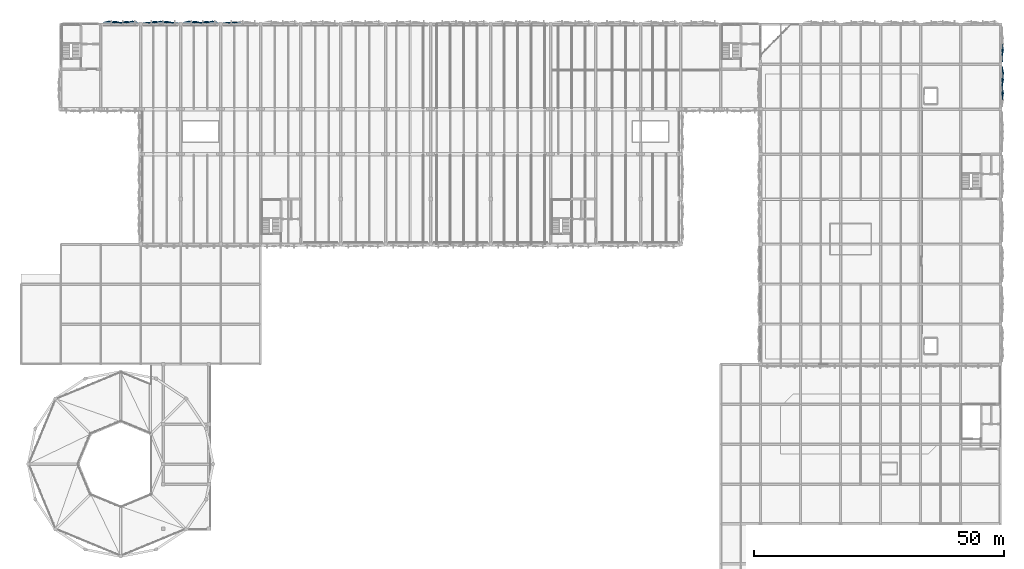
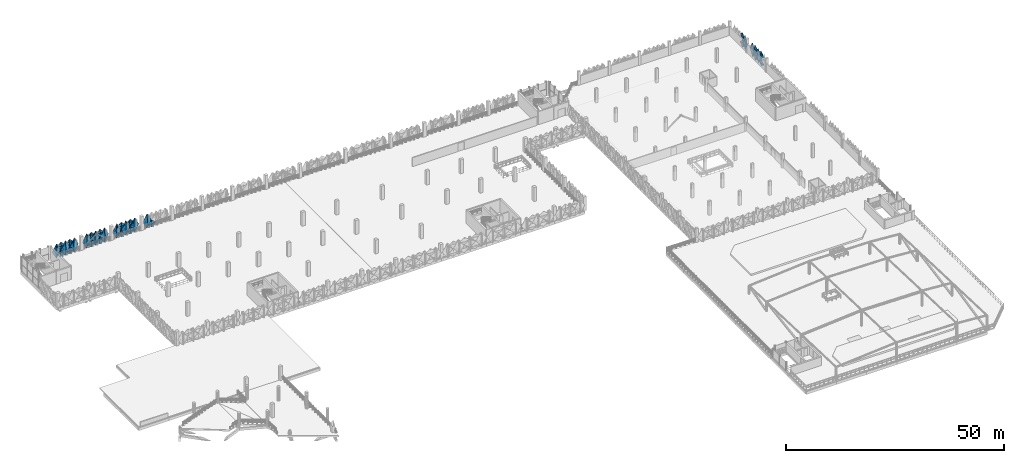
# One storey, part 62 of 76: 32 plates.
"""IFC4 building model written with IfcOpenShell, lengths in metres."""

from ifc_helpers import new_model, si_unit, derived_unit, direction, frame, origin, place, context, subcontext, project, spatial, polygons, material, layer, layer_set, type_object, element, save


model = new_model("IFC4")

# Units and contexts
model_context = context("Model", 3, precision=1e-05, world=origin(), true_north=direction((0.0, 1.0)))
body_context = subcontext(model_context, "Body", "Model", "MODEL_VIEW")
ifc_project = project(units=[si_unit("LENGTHUNIT", "METRE"), si_unit("AREAUNIT", "SQUARE_METRE"), si_unit("VOLUMEUNIT", "CUBIC_METRE"), si_unit("PLANEANGLEUNIT", "RADIAN"), si_unit("MASSUNIT", "GRAM", prefix="KILO"), si_unit("THERMODYNAMICTEMPERATUREUNIT", "KELVIN"), derived_unit("THERMALTRANSMITTANCEUNIT", [(si_unit("POWERUNIT", "WATT"), 1), (si_unit("AREAUNIT", "SQUARE_METRE"), -1), (si_unit("THERMODYNAMICTEMPERATUREUNIT", "KELVIN"), -1)])], contexts=[model_context])

# Site, building, storey
site_placement = place(None, origin())
site = spatial("IfcSite", under=ifc_project, at=site_placement, CompositionType="ELEMENT")
building_placement = place(site_placement, origin())
building = spatial("IfcBuilding", under=site, at=building_placement, Name="Haiyu Intermodal Mobility Hub", CompositionType="ELEMENT")
storey_placement = place(building_placement, frame((0.0, 0.0, 17.300048828125)))
storey = spatial("IfcBuildingStorey", under=building, at=storey_placement, Name="L04", CompositionType="ELEMENT", Elevation=17.300048828125)

# Plates
ifc_material = material(Name="Anodised aluminium 6063-T6", Category="aluminium")
ifc_layer_1 = layer(ifc_material, 0.01806640625)
ifc_layer_set_1 = layer_set([ifc_layer_1], Name="Anodised aluminium 6063-T6")
plate_type_1 = type_object("IfcPlateType", Name="PLT-FC01", PredefinedType="USERDEFINED", material=ifc_layer_set_1)
plate_1_placement = place(storey_placement, origin())
element("IfcPlate", 1, at=plate_1_placement, inside=storey, type_object=plate_type_1, Name="PLT-PYR-0022", ObjectType="FACADE CASSETTE", PredefinedType="USERDEFINED", context=body_context, shape_type="Tessellation", body=[
    polygons([(36.346923828125, 148.39990234375, -0.510009765625), (35.193115234375, 148.39990234375, 1.599853515625), (36.346923828125, 148.39990234375, 3.7099609375), (37.5, 148.39990234375, 1.599853515625), (36.346923828125, 148.679931640625, 1.599853515625), (36.346923828125, 148.3779296875, -0.510009765625), (35.193115234375, 148.3779296875, 1.599853515625), (36.346923828125, 148.3779296875, 3.7099609375), (37.5, 148.3779296875, 1.599853515625), (36.346923828125, 148.657958984375, 1.599853515625)], [[[1, 2, 5]], [[2, 3, 5]], [[3, 4, 5]], [[4, 1, 5]], [[7, 6, 10]], [[8, 7, 10]], [[9, 8, 10]], [[6, 9, 10]], [[1, 6, 7, 2]], [[2, 7, 8, 3]], [[3, 8, 9, 4]], [[4, 9, 6, 1]]], closed=True),
])
plate_2_placement = place(storey_placement, origin())
element("IfcPlate", 2, at=plate_2_placement, inside=storey, type_object=plate_type_1, Name="PLT-PYR-0026", ObjectType="FACADE CASSETTE", PredefinedType="USERDEFINED", context=body_context, shape_type="Tessellation", body=[
    polygons([(32.826904296875, 148.39990234375, -0.52001953125), (31.673095703125, 148.39990234375, 0.530029296875), (32.826904296875, 148.39990234375, 1.579833984375), (33.97998046875, 148.39990234375, 0.530029296875), (32.826904296875, 148.659912109375, 0.530029296875), (32.826904296875, 148.3779296875, -0.52001953125), (31.673095703125, 148.3779296875, 0.530029296875), (32.826904296875, 148.3779296875, 1.579833984375), (33.97998046875, 148.3779296875, 0.530029296875), (32.826904296875, 148.637939453125, 0.530029296875)], [[[1, 2, 5]], [[2, 3, 5]], [[3, 4, 5]], [[4, 1, 5]], [[7, 6, 10]], [[8, 7, 10]], [[9, 8, 10]], [[6, 9, 10]], [[1, 6, 7, 2]], [[2, 7, 8, 3]], [[3, 8, 9, 4]], [[4, 9, 6, 1]]], closed=True),
])
plate_3_placement = place(storey_placement, origin())
element("IfcPlate", 3, at=plate_3_placement, inside=storey, type_object=plate_type_1, Name="PLT-PYR-0058", ObjectType="FACADE CASSETTE", PredefinedType="USERDEFINED", context=body_context, shape_type="Tessellation", body=[
    polygons([(43.173095703125, 148.39990234375, -0.52001953125), (42.02001953125, 148.39990234375, 0.530029296875), (43.173095703125, 148.39990234375, 1.579833984375), (44.326904296875, 148.39990234375, 0.530029296875), (43.173095703125, 148.659912109375, 0.530029296875), (43.173095703125, 148.3779296875, -0.52001953125), (42.02001953125, 148.3779296875, 0.530029296875), (43.173095703125, 148.3779296875, 1.579833984375), (44.326904296875, 148.3779296875, 0.530029296875), (43.173095703125, 148.637939453125, 0.530029296875)], [[[1, 2, 5]], [[2, 3, 5]], [[3, 4, 5]], [[4, 1, 5]], [[7, 6, 10]], [[8, 7, 10]], [[9, 8, 10]], [[6, 9, 10]], [[1, 6, 7, 2]], [[2, 7, 8, 3]], [[3, 8, 9, 4]], [[4, 9, 6, 1]]], closed=True),
])
plate_4_placement = place(storey_placement, origin())
element("IfcPlate", 4, at=plate_4_placement, inside=storey, type_object=plate_type_1, Name="PLT-PYR-0092", ObjectType="FACADE CASSETTE", PredefinedType="USERDEFINED", context=body_context, shape_type="Tessellation", body=[
    polygons([(52.346923828125, 148.39990234375, -0.510009765625), (51.193115234375, 148.39990234375, 1.599853515625), (52.346923828125, 148.39990234375, 3.7099609375), (53.5, 148.39990234375, 1.599853515625), (52.346923828125, 148.679931640625, 1.599853515625), (52.346923828125, 148.3779296875, -0.510009765625), (51.193115234375, 148.3779296875, 1.599853515625), (52.346923828125, 148.3779296875, 3.7099609375), (53.5, 148.3779296875, 1.599853515625), (52.346923828125, 148.657958984375, 1.599853515625)], [[[1, 2, 5]], [[2, 3, 5]], [[3, 4, 5]], [[4, 1, 5]], [[7, 6, 10]], [[8, 7, 10]], [[9, 8, 10]], [[6, 9, 10]], [[1, 6, 7, 2]], [[2, 7, 8, 3]], [[3, 8, 9, 4]], [[4, 9, 6, 1]]], closed=True),
])
plate_5_placement = place(storey_placement, origin())
element("IfcPlate", 5, at=plate_5_placement, inside=storey, type_object=plate_type_1, Name="PLT-PYR-0096", ObjectType="FACADE CASSETTE", PredefinedType="USERDEFINED", context=body_context, shape_type="Tessellation", body=[
    polygons([(48.826904296875, 148.39990234375, -0.52001953125), (47.673095703125, 148.39990234375, 0.530029296875), (48.826904296875, 148.39990234375, 1.579833984375), (49.97998046875, 148.39990234375, 0.530029296875), (48.826904296875, 148.659912109375, 0.530029296875), (48.826904296875, 148.3779296875, -0.52001953125), (47.673095703125, 148.3779296875, 0.530029296875), (48.826904296875, 148.3779296875, 1.579833984375), (49.97998046875, 148.3779296875, 0.530029296875), (48.826904296875, 148.637939453125, 0.530029296875)], [[[1, 2, 5]], [[2, 3, 5]], [[3, 4, 5]], [[4, 1, 5]], [[7, 6, 10]], [[8, 7, 10]], [[9, 8, 10]], [[6, 9, 10]], [[1, 6, 7, 2]], [[2, 7, 8, 3]], [[3, 8, 9, 4]], [[4, 9, 6, 1]]], closed=True),
])
plate_6_placement = place(storey_placement, origin())
element("IfcPlate", 6, at=plate_6_placement, inside=storey, type_object=plate_type_1, Name="PLT-PYR-1313", ObjectType="FACADE CASSETTE", PredefinedType="USERDEFINED", context=body_context, shape_type="Tessellation", body=[
    polygons([(210.39990234375, 136.840087890625, -0.52001953125), (210.39990234375, 138.159912109375, 0.530029296875), (210.39990234375, 136.840087890625, 1.579833984375), (210.39990234375, 135.52001953125, 0.530029296875), (210.659912109375, 136.840087890625, 0.530029296875), (210.3779296875, 136.840087890625, -0.52001953125), (210.3779296875, 138.159912109375, 0.530029296875), (210.3779296875, 136.840087890625, 1.579833984375), (210.3779296875, 135.52001953125, 0.530029296875), (210.637939453125, 136.840087890625, 0.530029296875)], [[[1, 2, 5]], [[2, 3, 5]], [[3, 4, 5]], [[4, 1, 5]], [[7, 6, 10]], [[8, 7, 10]], [[9, 8, 10]], [[6, 9, 10]], [[1, 6, 7, 2]], [[2, 7, 8, 3]], [[3, 8, 9, 4]], [[4, 9, 6, 1]]], closed=True),
])
plate_7_placement = place(storey_placement, origin())
element("IfcPlate", 7, at=plate_7_placement, inside=storey, type_object=plate_type_1, Name="PLT-PYR-1317", ObjectType="FACADE CASSETTE", PredefinedType="USERDEFINED", context=body_context, shape_type="Tessellation", body=[
    polygons([(210.39990234375, 142.826904296875, -0.52001953125), (210.39990234375, 143.97998046875, 0.530029296875), (210.39990234375, 142.826904296875, 1.579833984375), (210.39990234375, 141.673095703125, 0.530029296875), (210.659912109375, 142.826904296875, 0.530029296875), (210.3779296875, 142.826904296875, -0.52001953125), (210.3779296875, 143.97998046875, 0.530029296875), (210.3779296875, 142.826904296875, 1.579833984375), (210.3779296875, 141.673095703125, 0.530029296875), (210.637939453125, 142.826904296875, 0.530029296875)], [[[1, 2, 5]], [[2, 3, 5]], [[3, 4, 5]], [[4, 1, 5]], [[7, 6, 10]], [[8, 7, 10]], [[9, 8, 10]], [[6, 9, 10]], [[1, 6, 7, 2]], [[2, 7, 8, 3]], [[3, 8, 9, 4]], [[4, 9, 6, 1]]], closed=True),
])
ifc_layer_2 = layer(ifc_material, 0.02001953125)
ifc_layer_set_2 = layer_set([ifc_layer_2], Name="Anodised aluminium 6063-T6")
plate_type_2 = type_object("IfcPlateType", Name="PLT-FC02", PredefinedType="USERDEFINED", material=ifc_layer_set_2)
plate_8_placement = place(storey_placement, origin())
element("IfcPlate", 8, at=plate_8_placement, inside=storey, type_object=plate_type_2, Name="PLT-PYR-0023", ObjectType="FACADE CASSETTE", PredefinedType="USERDEFINED", context=body_context, shape_type="Tessellation", body=[
    polygons([(35.173095703125, 148.39990234375, -0.52001953125), (34.02001953125, 148.39990234375, 0.530029296875), (35.173095703125, 148.39990234375, 1.579833984375), (36.326904296875, 148.39990234375, 0.530029296875), (35.173095703125, 148.179931640625, 0.530029296875), (35.173095703125, 148.3779296875, -0.52001953125), (34.02001953125, 148.3779296875, 0.530029296875), (35.173095703125, 148.3779296875, 1.579833984375), (36.326904296875, 148.3779296875, 0.530029296875), (35.173095703125, 148.157958984375, 0.530029296875)], [[[1, 2, 5]], [[2, 3, 5]], [[3, 4, 5]], [[4, 1, 5]], [[7, 6, 10]], [[8, 7, 10]], [[9, 8, 10]], [[6, 9, 10]], [[1, 6, 7, 2]], [[2, 7, 8, 3]], [[3, 8, 9, 4]], [[4, 9, 6, 1]]], closed=True),
])
plate_9_placement = place(storey_placement, origin())
element("IfcPlate", 9, at=plate_9_placement, inside=storey, type_object=plate_type_2, Name="PLT-PYR-0057", ObjectType="FACADE CASSETTE", PredefinedType="USERDEFINED", context=body_context, shape_type="Tessellation", body=[
    polygons([(44.346923828125, 148.39990234375, -0.510009765625), (43.193115234375, 148.39990234375, 1.599853515625), (44.346923828125, 148.39990234375, 3.7099609375), (45.5, 148.39990234375, 1.599853515625), (44.346923828125, 148.139892578125, 1.599853515625), (44.346923828125, 148.3779296875, -0.510009765625), (43.193115234375, 148.3779296875, 1.599853515625), (44.346923828125, 148.3779296875, 3.7099609375), (45.5, 148.3779296875, 1.599853515625), (44.346923828125, 148.117919921875, 1.599853515625)], [[[1, 2, 5]], [[2, 3, 5]], [[3, 4, 5]], [[4, 1, 5]], [[7, 6, 10]], [[8, 7, 10]], [[9, 8, 10]], [[6, 9, 10]], [[1, 6, 7, 2]], [[2, 7, 8, 3]], [[3, 8, 9, 4]], [[4, 9, 6, 1]]], closed=True),
])
plate_10_placement = place(storey_placement, origin())
element("IfcPlate", 10, at=plate_10_placement, inside=storey, type_object=plate_type_2, Name="PLT-PYR-0061", ObjectType="FACADE CASSETTE", PredefinedType="USERDEFINED", context=body_context, shape_type="Tessellation", body=[
    polygons([(40.826904296875, 148.39990234375, -0.52001953125), (39.673095703125, 148.39990234375, 0.530029296875), (40.826904296875, 148.39990234375, 1.579833984375), (41.97998046875, 148.39990234375, 0.530029296875), (40.826904296875, 148.179931640625, 0.530029296875), (40.826904296875, 148.3779296875, -0.52001953125), (39.673095703125, 148.3779296875, 0.530029296875), (40.826904296875, 148.3779296875, 1.579833984375), (41.97998046875, 148.3779296875, 0.530029296875), (40.826904296875, 148.157958984375, 0.530029296875)], [[[1, 2, 5]], [[2, 3, 5]], [[3, 4, 5]], [[4, 1, 5]], [[7, 6, 10]], [[8, 7, 10]], [[9, 8, 10]], [[6, 9, 10]], [[1, 6, 7, 2]], [[2, 7, 8, 3]], [[3, 8, 9, 4]], [[4, 9, 6, 1]]], closed=True),
])
plate_11_placement = place(storey_placement, origin())
element("IfcPlate", 11, at=plate_11_placement, inside=storey, type_object=plate_type_2, Name="PLT-PYR-0093", ObjectType="FACADE CASSETTE", PredefinedType="USERDEFINED", context=body_context, shape_type="Tessellation", body=[
    polygons([(51.173095703125, 148.39990234375, -0.52001953125), (50.02001953125, 148.39990234375, 0.530029296875), (51.173095703125, 148.39990234375, 1.579833984375), (52.326904296875, 148.39990234375, 0.530029296875), (51.173095703125, 148.179931640625, 0.530029296875), (51.173095703125, 148.3779296875, -0.52001953125), (50.02001953125, 148.3779296875, 0.530029296875), (51.173095703125, 148.3779296875, 1.579833984375), (52.326904296875, 148.3779296875, 0.530029296875), (51.173095703125, 148.157958984375, 0.530029296875)], [[[1, 2, 5]], [[2, 3, 5]], [[3, 4, 5]], [[4, 1, 5]], [[7, 6, 10]], [[8, 7, 10]], [[9, 8, 10]], [[6, 9, 10]], [[1, 6, 7, 2]], [[2, 7, 8, 3]], [[3, 8, 9, 4]], [[4, 9, 6, 1]]], closed=True),
])
plate_12_placement = place(storey_placement, origin())
element("IfcPlate", 12, at=plate_12_placement, inside=storey, type_object=plate_type_2, Name="PLT-PYR-0131", ObjectType="FACADE CASSETTE", PredefinedType="USERDEFINED", context=body_context, shape_type="Tessellation", body=[
    polygons([(56.826904296875, 148.39990234375, -0.52001953125), (55.673095703125, 148.39990234375, 0.530029296875), (56.826904296875, 148.39990234375, 1.579833984375), (57.97998046875, 148.39990234375, 0.530029296875), (56.826904296875, 148.179931640625, 0.530029296875), (56.826904296875, 148.3779296875, -0.52001953125), (55.673095703125, 148.3779296875, 0.530029296875), (56.826904296875, 148.3779296875, 1.579833984375), (57.97998046875, 148.3779296875, 0.530029296875), (56.826904296875, 148.157958984375, 0.530029296875)], [[[1, 2, 5]], [[2, 3, 5]], [[3, 4, 5]], [[4, 1, 5]], [[7, 6, 10]], [[8, 7, 10]], [[9, 8, 10]], [[6, 9, 10]], [[1, 6, 7, 2]], [[2, 7, 8, 3]], [[3, 8, 9, 4]], [[4, 9, 6, 1]]], closed=True),
])
plate_13_placement = place(storey_placement, origin())
element("IfcPlate", 13, at=plate_13_placement, inside=storey, type_object=plate_type_2, Name="PLT-PYR-1310", ObjectType="FACADE CASSETTE", PredefinedType="USERDEFINED", context=body_context, shape_type="Tessellation", body=[
    polygons([(210.39990234375, 134.159912109375, -0.52001953125), (210.39990234375, 135.47998046875, 0.530029296875), (210.39990234375, 134.159912109375, 1.579833984375), (210.39990234375, 132.840087890625, 0.530029296875), (210.179931640625, 134.159912109375, 0.530029296875), (210.3779296875, 134.159912109375, -0.52001953125), (210.3779296875, 135.47998046875, 0.530029296875), (210.3779296875, 134.159912109375, 1.579833984375), (210.3779296875, 132.840087890625, 0.530029296875), (210.157958984375, 134.159912109375, 0.530029296875)], [[[1, 2, 5]], [[2, 3, 5]], [[3, 4, 5]], [[4, 1, 5]], [[7, 6, 10]], [[8, 7, 10]], [[9, 8, 10]], [[6, 9, 10]], [[1, 6, 7, 2]], [[2, 7, 8, 3]], [[3, 8, 9, 4]], [[4, 9, 6, 1]]], closed=True),
])
plate_14_placement = place(storey_placement, origin())
element("IfcPlate", 14, at=plate_14_placement, inside=storey, type_object=plate_type_2, Name="PLT-PYR-1316", ObjectType="FACADE CASSETTE", PredefinedType="USERDEFINED", context=body_context, shape_type="Tessellation", body=[
    polygons([(210.39990234375, 141.653076171875, -0.510009765625), (210.39990234375, 142.806884765625, 1.599853515625), (210.39990234375, 141.653076171875, 3.7099609375), (210.39990234375, 140.5, 1.599853515625), (210.139892578125, 141.653076171875, 1.599853515625), (210.3779296875, 141.653076171875, -0.510009765625), (210.3779296875, 142.806884765625, 1.599853515625), (210.3779296875, 141.653076171875, 3.7099609375), (210.3779296875, 140.5, 1.599853515625), (210.117919921875, 141.653076171875, 1.599853515625)], [[[1, 2, 5]], [[2, 3, 5]], [[3, 4, 5]], [[4, 1, 5]], [[7, 6, 10]], [[8, 7, 10]], [[9, 8, 10]], [[6, 9, 10]], [[1, 6, 7, 2]], [[2, 7, 8, 3]], [[3, 8, 9, 4]], [[4, 9, 6, 1]]], closed=True),
])
ifc_layer_3 = layer(ifc_material, 0.01806640625)
ifc_layer_set_3 = layer_set([ifc_layer_3], Name="Anodised aluminium 6063-T6")
plate_type_3 = type_object("IfcPlateType", Name="PLT-FC03", PredefinedType="USERDEFINED", material=ifc_layer_set_3)
plate_15_placement = place(storey_placement, origin())
element("IfcPlate", 15, at=plate_15_placement, inside=storey, type_object=plate_type_3, Name="PLT-PYR-0024", ObjectType="FACADE CASSETTE", PredefinedType="USERDEFINED", context=body_context, shape_type="Tessellation", body=[
    polygons([(35.173095703125, 148.39990234375, 1.619873046875), (34.02001953125, 148.39990234375, 2.669921875), (35.173095703125, 148.39990234375, 3.719970703125), (36.326904296875, 148.39990234375, 2.669921875), (35.173095703125, 148.659912109375, 2.669921875), (35.173095703125, 148.3779296875, 1.619873046875), (34.02001953125, 148.3779296875, 2.669921875), (35.173095703125, 148.3779296875, 3.719970703125), (36.326904296875, 148.3779296875, 2.669921875), (35.173095703125, 148.637939453125, 2.669921875)], [[[1, 2, 5]], [[2, 3, 5]], [[3, 4, 5]], [[4, 1, 5]], [[7, 6, 10]], [[8, 7, 10]], [[9, 8, 10]], [[6, 9, 10]], [[1, 6, 7, 2]], [[2, 7, 8, 3]], [[3, 8, 9, 4]], [[4, 9, 6, 1]]], closed=True),
])
plate_16_placement = place(storey_placement, origin())
element("IfcPlate", 16, at=plate_16_placement, inside=storey, type_object=plate_type_3, Name="PLT-PYR-0060", ObjectType="FACADE CASSETTE", PredefinedType="USERDEFINED", context=body_context, shape_type="Tessellation", body=[
    polygons([(42.0, 148.39990234375, -0.510009765625), (40.846923828125, 148.39990234375, 1.599853515625), (42.0, 148.39990234375, 3.7099609375), (43.153076171875, 148.39990234375, 1.599853515625), (42.0, 148.679931640625, 1.599853515625), (42.0, 148.3779296875, -0.510009765625), (40.846923828125, 148.3779296875, 1.599853515625), (42.0, 148.3779296875, 3.7099609375), (43.153076171875, 148.3779296875, 1.599853515625), (42.0, 148.657958984375, 1.599853515625)], [[[1, 2, 5]], [[2, 3, 5]], [[3, 4, 5]], [[4, 1, 5]], [[7, 6, 10]], [[8, 7, 10]], [[9, 8, 10]], [[6, 9, 10]], [[1, 6, 7, 2]], [[2, 7, 8, 3]], [[3, 8, 9, 4]], [[4, 9, 6, 1]]], closed=True),
])
plate_17_placement = place(storey_placement, origin())
element("IfcPlate", 17, at=plate_17_placement, inside=storey, type_object=plate_type_3, Name="PLT-PYR-0062", ObjectType="FACADE CASSETTE", PredefinedType="USERDEFINED", context=body_context, shape_type="Tessellation", body=[
    polygons([(40.826904296875, 148.39990234375, 1.619873046875), (39.673095703125, 148.39990234375, 2.669921875), (40.826904296875, 148.39990234375, 3.719970703125), (41.97998046875, 148.39990234375, 2.669921875), (40.826904296875, 148.659912109375, 2.669921875), (40.826904296875, 148.3779296875, 1.619873046875), (39.673095703125, 148.3779296875, 2.669921875), (40.826904296875, 148.3779296875, 3.719970703125), (41.97998046875, 148.3779296875, 2.669921875), (40.826904296875, 148.637939453125, 2.669921875)], [[[1, 2, 5]], [[2, 3, 5]], [[3, 4, 5]], [[4, 1, 5]], [[7, 6, 10]], [[8, 7, 10]], [[9, 8, 10]], [[6, 9, 10]], [[1, 6, 7, 2]], [[2, 7, 8, 3]], [[3, 8, 9, 4]], [[4, 9, 6, 1]]], closed=True),
])
plate_18_placement = place(storey_placement, origin())
element("IfcPlate", 18, at=plate_18_placement, inside=storey, type_object=plate_type_3, Name="PLT-PYR-0094", ObjectType="FACADE CASSETTE", PredefinedType="USERDEFINED", context=body_context, shape_type="Tessellation", body=[
    polygons([(51.173095703125, 148.39990234375, 1.619873046875), (50.02001953125, 148.39990234375, 2.669921875), (51.173095703125, 148.39990234375, 3.719970703125), (52.326904296875, 148.39990234375, 2.669921875), (51.173095703125, 148.659912109375, 2.669921875), (51.173095703125, 148.3779296875, 1.619873046875), (50.02001953125, 148.3779296875, 2.669921875), (51.173095703125, 148.3779296875, 3.719970703125), (52.326904296875, 148.3779296875, 2.669921875), (51.173095703125, 148.637939453125, 2.669921875)], [[[1, 2, 5]], [[2, 3, 5]], [[3, 4, 5]], [[4, 1, 5]], [[7, 6, 10]], [[8, 7, 10]], [[9, 8, 10]], [[6, 9, 10]], [[1, 6, 7, 2]], [[2, 7, 8, 3]], [[3, 8, 9, 4]], [[4, 9, 6, 1]]], closed=True),
])
plate_19_placement = place(storey_placement, origin())
element("IfcPlate", 19, at=plate_19_placement, inside=storey, type_object=plate_type_3, Name="PLT-PYR-1311", ObjectType="FACADE CASSETTE", PredefinedType="USERDEFINED", context=body_context, shape_type="Tessellation", body=[
    polygons([(210.39990234375, 134.159912109375, 1.619873046875), (210.39990234375, 135.47998046875, 2.669921875), (210.39990234375, 134.159912109375, 3.719970703125), (210.39990234375, 132.840087890625, 2.669921875), (210.659912109375, 134.159912109375, 2.669921875), (210.3779296875, 134.159912109375, 1.619873046875), (210.3779296875, 135.47998046875, 2.669921875), (210.3779296875, 134.159912109375, 3.719970703125), (210.3779296875, 132.840087890625, 2.669921875), (210.637939453125, 134.159912109375, 2.669921875)], [[[1, 2, 5]], [[2, 3, 5]], [[3, 4, 5]], [[4, 1, 5]], [[7, 6, 10]], [[8, 7, 10]], [[9, 8, 10]], [[6, 9, 10]], [[1, 6, 7, 2]], [[2, 7, 8, 3]], [[3, 8, 9, 4]], [[4, 9, 6, 1]]], closed=True),
])
ifc_layer_4 = layer(ifc_material, 0.02001953125)
ifc_layer_set_4 = layer_set([ifc_layer_4], Name="Anodised aluminium 6063-T6")
plate_type_4 = type_object("IfcPlateType", Name="PLT-FC04", PredefinedType="USERDEFINED", material=ifc_layer_set_4)
plate_20_placement = place(storey_placement, origin())
element("IfcPlate", 20, at=plate_20_placement, inside=storey, type_object=plate_type_4, Name="PLT-PYR-0025", ObjectType="FACADE CASSETTE", PredefinedType="USERDEFINED", context=body_context, shape_type="Tessellation", body=[
    polygons([(34.0, 148.39990234375, -0.510009765625), (32.846923828125, 148.39990234375, 1.599853515625), (34.0, 148.39990234375, 3.7099609375), (35.153076171875, 148.39990234375, 1.599853515625), (34.0, 148.139892578125, 1.599853515625), (34.0, 148.3779296875, -0.510009765625), (32.846923828125, 148.3779296875, 1.599853515625), (34.0, 148.3779296875, 3.7099609375), (35.153076171875, 148.3779296875, 1.599853515625), (34.0, 148.117919921875, 1.599853515625)], [[[1, 2, 5]], [[2, 3, 5]], [[3, 4, 5]], [[4, 1, 5]], [[7, 6, 10]], [[8, 7, 10]], [[9, 8, 10]], [[6, 9, 10]], [[1, 6, 7, 2]], [[2, 7, 8, 3]], [[3, 8, 9, 4]], [[4, 9, 6, 1]]], closed=True),
])
plate_21_placement = place(storey_placement, origin())
element("IfcPlate", 21, at=plate_21_placement, inside=storey, type_object=plate_type_4, Name="PLT-PYR-0027", ObjectType="FACADE CASSETTE", PredefinedType="USERDEFINED", context=body_context, shape_type="Tessellation", body=[
    polygons([(32.826904296875, 148.39990234375, 1.619873046875), (31.673095703125, 148.39990234375, 2.669921875), (32.826904296875, 148.39990234375, 3.719970703125), (33.97998046875, 148.39990234375, 2.669921875), (32.826904296875, 148.179931640625, 2.669921875), (32.826904296875, 148.3779296875, 1.619873046875), (31.673095703125, 148.3779296875, 2.669921875), (32.826904296875, 148.3779296875, 3.719970703125), (33.97998046875, 148.3779296875, 2.669921875), (32.826904296875, 148.157958984375, 2.669921875)], [[[1, 2, 5]], [[2, 3, 5]], [[3, 4, 5]], [[4, 1, 5]], [[7, 6, 10]], [[8, 7, 10]], [[9, 8, 10]], [[6, 9, 10]], [[1, 6, 7, 2]], [[2, 7, 8, 3]], [[3, 8, 9, 4]], [[4, 9, 6, 1]]], closed=True),
])
plate_22_placement = place(storey_placement, origin())
element("IfcPlate", 22, at=plate_22_placement, inside=storey, type_object=plate_type_4, Name="PLT-PYR-0059", ObjectType="FACADE CASSETTE", PredefinedType="USERDEFINED", context=body_context, shape_type="Tessellation", body=[
    polygons([(43.173095703125, 148.39990234375, 1.619873046875), (42.02001953125, 148.39990234375, 2.669921875), (43.173095703125, 148.39990234375, 3.719970703125), (44.326904296875, 148.39990234375, 2.669921875), (43.173095703125, 148.179931640625, 2.669921875), (43.173095703125, 148.3779296875, 1.619873046875), (42.02001953125, 148.3779296875, 2.669921875), (43.173095703125, 148.3779296875, 3.719970703125), (44.326904296875, 148.3779296875, 2.669921875), (43.173095703125, 148.157958984375, 2.669921875)], [[[1, 2, 5]], [[2, 3, 5]], [[3, 4, 5]], [[4, 1, 5]], [[7, 6, 10]], [[8, 7, 10]], [[9, 8, 10]], [[6, 9, 10]], [[1, 6, 7, 2]], [[2, 7, 8, 3]], [[3, 8, 9, 4]], [[4, 9, 6, 1]]], closed=True),
])
plate_23_placement = place(storey_placement, origin())
element("IfcPlate", 23, at=plate_23_placement, inside=storey, type_object=plate_type_4, Name="PLT-PYR-0095", ObjectType="FACADE CASSETTE", PredefinedType="USERDEFINED", context=body_context, shape_type="Tessellation", body=[
    polygons([(50.0, 148.39990234375, -0.510009765625), (48.846923828125, 148.39990234375, 1.599853515625), (50.0, 148.39990234375, 3.7099609375), (51.153076171875, 148.39990234375, 1.599853515625), (50.0, 148.139892578125, 1.599853515625), (50.0, 148.3779296875, -0.510009765625), (48.846923828125, 148.3779296875, 1.599853515625), (50.0, 148.3779296875, 3.7099609375), (51.153076171875, 148.3779296875, 1.599853515625), (50.0, 148.117919921875, 1.599853515625)], [[[1, 2, 5]], [[2, 3, 5]], [[3, 4, 5]], [[4, 1, 5]], [[7, 6, 10]], [[8, 7, 10]], [[9, 8, 10]], [[6, 9, 10]], [[1, 6, 7, 2]], [[2, 7, 8, 3]], [[3, 8, 9, 4]], [[4, 9, 6, 1]]], closed=True),
])
plate_24_placement = place(storey_placement, origin())
element("IfcPlate", 24, at=plate_24_placement, inside=storey, type_object=plate_type_4, Name="PLT-PYR-0097", ObjectType="FACADE CASSETTE", PredefinedType="USERDEFINED", context=body_context, shape_type="Tessellation", body=[
    polygons([(48.826904296875, 148.39990234375, 1.619873046875), (47.673095703125, 148.39990234375, 2.669921875), (48.826904296875, 148.39990234375, 3.719970703125), (49.97998046875, 148.39990234375, 2.669921875), (48.826904296875, 148.179931640625, 2.669921875), (48.826904296875, 148.3779296875, 1.619873046875), (47.673095703125, 148.3779296875, 2.669921875), (48.826904296875, 148.3779296875, 3.719970703125), (49.97998046875, 148.3779296875, 2.669921875), (48.826904296875, 148.157958984375, 2.669921875)], [[[1, 2, 5]], [[2, 3, 5]], [[3, 4, 5]], [[4, 1, 5]], [[7, 6, 10]], [[8, 7, 10]], [[9, 8, 10]], [[6, 9, 10]], [[1, 6, 7, 2]], [[2, 7, 8, 3]], [[3, 8, 9, 4]], [[4, 9, 6, 1]]], closed=True),
])
plate_25_placement = place(storey_placement, origin())
element("IfcPlate", 25, at=plate_25_placement, inside=storey, type_object=plate_type_4, Name="PLT-PYR-1312", ObjectType="FACADE CASSETTE", PredefinedType="USERDEFINED", context=body_context, shape_type="Tessellation", body=[
    polygons([(210.39990234375, 135.5, -0.510009765625), (210.39990234375, 136.820068359375, 1.599853515625), (210.39990234375, 135.5, 3.7099609375), (210.39990234375, 134.179931640625, 1.599853515625), (210.139892578125, 135.5, 1.599853515625), (210.3779296875, 135.5, -0.510009765625), (210.3779296875, 136.820068359375, 1.599853515625), (210.3779296875, 135.5, 3.7099609375), (210.3779296875, 134.179931640625, 1.599853515625), (210.117919921875, 135.5, 1.599853515625)], [[[1, 2, 5]], [[2, 3, 5]], [[3, 4, 5]], [[4, 1, 5]], [[7, 6, 10]], [[8, 7, 10]], [[9, 8, 10]], [[6, 9, 10]], [[1, 6, 7, 2]], [[2, 7, 8, 3]], [[3, 8, 9, 4]], [[4, 9, 6, 1]]], closed=True),
])
plate_26_placement = place(storey_placement, origin())
element("IfcPlate", 26, at=plate_26_placement, inside=storey, type_object=plate_type_4, Name="PLT-PYR-1314", ObjectType="FACADE CASSETTE", PredefinedType="USERDEFINED", context=body_context, shape_type="Tessellation", body=[
    polygons([(210.39990234375, 136.840087890625, 1.619873046875), (210.39990234375, 138.159912109375, 2.669921875), (210.39990234375, 136.840087890625, 3.719970703125), (210.39990234375, 135.52001953125, 2.669921875), (210.179931640625, 136.840087890625, 2.669921875), (210.3779296875, 136.840087890625, 1.619873046875), (210.3779296875, 138.159912109375, 2.669921875), (210.3779296875, 136.840087890625, 3.719970703125), (210.3779296875, 135.52001953125, 2.669921875), (210.157958984375, 136.840087890625, 2.669921875)], [[[1, 2, 5]], [[2, 3, 5]], [[3, 4, 5]], [[4, 1, 5]], [[7, 6, 10]], [[8, 7, 10]], [[9, 8, 10]], [[6, 9, 10]], [[1, 6, 7, 2]], [[2, 7, 8, 3]], [[3, 8, 9, 4]], [[4, 9, 6, 1]]], closed=True),
])
plate_27_placement = place(storey_placement, origin())
element("IfcPlate", 27, at=plate_27_placement, inside=storey, type_object=plate_type_4, Name="PLT-PYR-1318", ObjectType="FACADE CASSETTE", PredefinedType="USERDEFINED", context=body_context, shape_type="Tessellation", body=[
    polygons([(210.39990234375, 142.826904296875, 1.619873046875), (210.39990234375, 143.97998046875, 2.669921875), (210.39990234375, 142.826904296875, 3.719970703125), (210.39990234375, 141.673095703125, 2.669921875), (210.179931640625, 142.826904296875, 2.669921875), (210.3779296875, 142.826904296875, 1.619873046875), (210.3779296875, 143.97998046875, 2.669921875), (210.3779296875, 142.826904296875, 3.719970703125), (210.3779296875, 141.673095703125, 2.669921875), (210.157958984375, 142.826904296875, 2.669921875)], [[[1, 2, 5]], [[2, 3, 5]], [[3, 4, 5]], [[4, 1, 5]], [[7, 6, 10]], [[8, 7, 10]], [[9, 8, 10]], [[6, 9, 10]], [[1, 6, 7, 2]], [[2, 7, 8, 3]], [[3, 8, 9, 4]], [[4, 9, 6, 1]]], closed=True),
])
ifc_layer_5 = layer(ifc_material, 0.01806640625)
ifc_layer_set_5 = layer_set([ifc_layer_5], Name="Anodised aluminium 6063-T6")
plate_type_5 = type_object("IfcPlateType", Name="PLT-FC05", PredefinedType="USERDEFINED", material=ifc_layer_set_5)
plate_28_placement = place(storey_placement, origin())
element("IfcPlate", 28, at=plate_28_placement, inside=storey, type_object=plate_type_5, Name="PLT-PYR-0028", ObjectType="FACADE CASSETTE", PredefinedType="USERDEFINED", context=body_context, shape_type="Tessellation", body=[
    polygons([(31.653076171875, 148.39990234375, -0.510009765625), (30.5, 148.39990234375, 1.599853515625), (31.653076171875, 148.39990234375, 3.7099609375), (32.806884765625, 148.39990234375, 1.599853515625), (31.653076171875, 148.679931640625, 1.599853515625), (31.653076171875, 148.3779296875, -0.510009765625), (30.5, 148.3779296875, 1.599853515625), (31.653076171875, 148.3779296875, 3.7099609375), (32.806884765625, 148.3779296875, 1.599853515625), (31.653076171875, 148.657958984375, 1.599853515625)], [[[1, 2, 5]], [[2, 3, 5]], [[3, 4, 5]], [[4, 1, 5]], [[7, 6, 10]], [[8, 7, 10]], [[9, 8, 10]], [[6, 9, 10]], [[1, 6, 7, 2]], [[2, 7, 8, 3]], [[3, 8, 9, 4]], [[4, 9, 6, 1]]], closed=True),
])
plate_29_placement = place(storey_placement, origin())
element("IfcPlate", 29, at=plate_29_placement, inside=storey, type_object=plate_type_5, Name="PLT-PYR-0098", ObjectType="FACADE CASSETTE", PredefinedType="USERDEFINED", context=body_context, shape_type="Tessellation", body=[
    polygons([(47.653076171875, 148.39990234375, -0.510009765625), (46.5, 148.39990234375, 1.599853515625), (47.653076171875, 148.39990234375, 3.7099609375), (48.806884765625, 148.39990234375, 1.599853515625), (47.653076171875, 148.679931640625, 1.599853515625), (47.653076171875, 148.3779296875, -0.510009765625), (46.5, 148.3779296875, 1.599853515625), (47.653076171875, 148.3779296875, 3.7099609375), (48.806884765625, 148.3779296875, 1.599853515625), (47.653076171875, 148.657958984375, 1.599853515625)], [[[1, 2, 5]], [[2, 3, 5]], [[3, 4, 5]], [[4, 1, 5]], [[7, 6, 10]], [[8, 7, 10]], [[9, 8, 10]], [[6, 9, 10]], [[1, 6, 7, 2]], [[2, 7, 8, 3]], [[3, 8, 9, 4]], [[4, 9, 6, 1]]], closed=True),
])
plate_30_placement = place(storey_placement, origin())
element("IfcPlate", 30, at=plate_30_placement, inside=storey, type_object=plate_type_5, Name="PLT-PYR-1315", ObjectType="FACADE CASSETTE", PredefinedType="USERDEFINED", context=body_context, shape_type="Tessellation", body=[
    polygons([(210.39990234375, 138.179931640625, -0.510009765625), (210.39990234375, 139.5, 1.599853515625), (210.39990234375, 138.179931640625, 3.7099609375), (210.39990234375, 136.860107421875, 1.599853515625), (210.679931640625, 138.179931640625, 1.599853515625), (210.3779296875, 138.179931640625, -0.510009765625), (210.3779296875, 139.5, 1.599853515625), (210.3779296875, 138.179931640625, 3.7099609375), (210.3779296875, 136.860107421875, 1.599853515625), (210.657958984375, 138.179931640625, 1.599853515625)], [[[1, 2, 5]], [[2, 3, 5]], [[3, 4, 5]], [[4, 1, 5]], [[7, 6, 10]], [[8, 7, 10]], [[9, 8, 10]], [[6, 9, 10]], [[1, 6, 7, 2]], [[2, 7, 8, 3]], [[3, 8, 9, 4]], [[4, 9, 6, 1]]], closed=True),
])
ifc_layer_6 = layer(ifc_material, 0.02001953125)
ifc_layer_set_6 = layer_set([ifc_layer_6], Name="Anodised aluminium 6063-T6")
plate_type_6 = type_object("IfcPlateType", Name="PLT-FC06", PredefinedType="USERDEFINED", material=ifc_layer_set_6)
plate_31_placement = place(storey_placement, origin())
element("IfcPlate", 31, at=plate_31_placement, inside=storey, type_object=plate_type_6, Name="PLT-PYR-0063", ObjectType="FACADE CASSETTE", PredefinedType="USERDEFINED", context=body_context, shape_type="Tessellation", body=[
    polygons([(39.653076171875, 148.39990234375, -0.510009765625), (38.5, 148.39990234375, 1.599853515625), (39.653076171875, 148.39990234375, 3.7099609375), (40.806884765625, 148.39990234375, 1.599853515625), (39.653076171875, 148.139892578125, 1.599853515625), (39.653076171875, 148.3779296875, -0.510009765625), (38.5, 148.3779296875, 1.599853515625), (39.653076171875, 148.3779296875, 3.7099609375), (40.806884765625, 148.3779296875, 1.599853515625), (39.653076171875, 148.117919921875, 1.599853515625)], [[[1, 2, 5]], [[2, 3, 5]], [[3, 4, 5]], [[4, 1, 5]], [[7, 6, 10]], [[8, 7, 10]], [[9, 8, 10]], [[6, 9, 10]], [[1, 6, 7, 2]], [[2, 7, 8, 3]], [[3, 8, 9, 4]], [[4, 9, 6, 1]]], closed=True),
])
plate_32_placement = place(storey_placement, origin())
element("IfcPlate", 32, at=plate_32_placement, inside=storey, type_object=plate_type_6, Name="PLT-PYR-0133", ObjectType="FACADE CASSETTE", PredefinedType="USERDEFINED", context=body_context, shape_type="Tessellation", body=[
    polygons([(55.653076171875, 148.39990234375, -0.510009765625), (54.5, 148.39990234375, 1.599853515625), (55.653076171875, 148.39990234375, 3.7099609375), (56.806884765625, 148.39990234375, 1.599853515625), (55.653076171875, 148.139892578125, 1.599853515625), (55.653076171875, 148.3779296875, -0.510009765625), (54.5, 148.3779296875, 1.599853515625), (55.653076171875, 148.3779296875, 3.7099609375), (56.806884765625, 148.3779296875, 1.599853515625), (55.653076171875, 148.117919921875, 1.599853515625)], [[[1, 2, 5]], [[2, 3, 5]], [[3, 4, 5]], [[4, 1, 5]], [[7, 6, 10]], [[8, 7, 10]], [[9, 8, 10]], [[6, 9, 10]], [[1, 6, 7, 2]], [[2, 7, 8, 3]], [[3, 8, 9, 4]], [[4, 9, 6, 1]]], closed=True),
])

save(model, "model.ifc")
